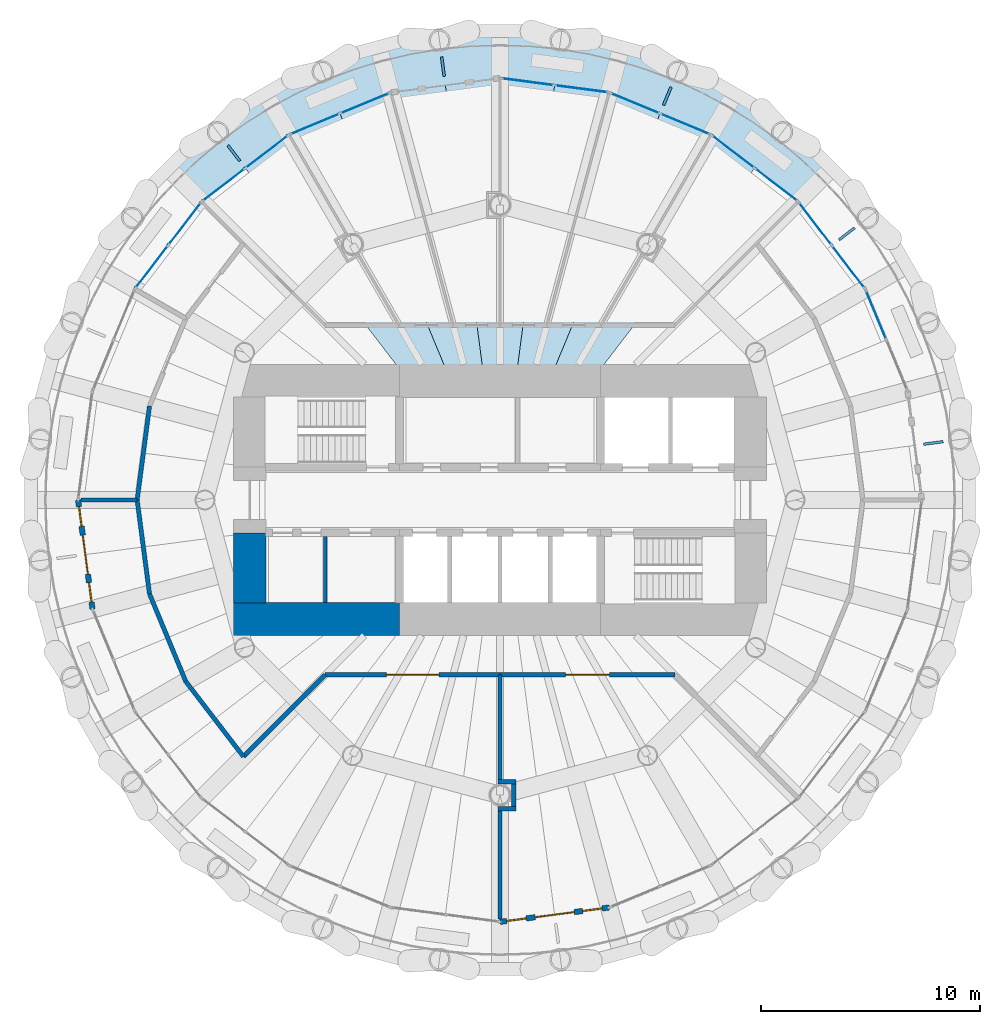
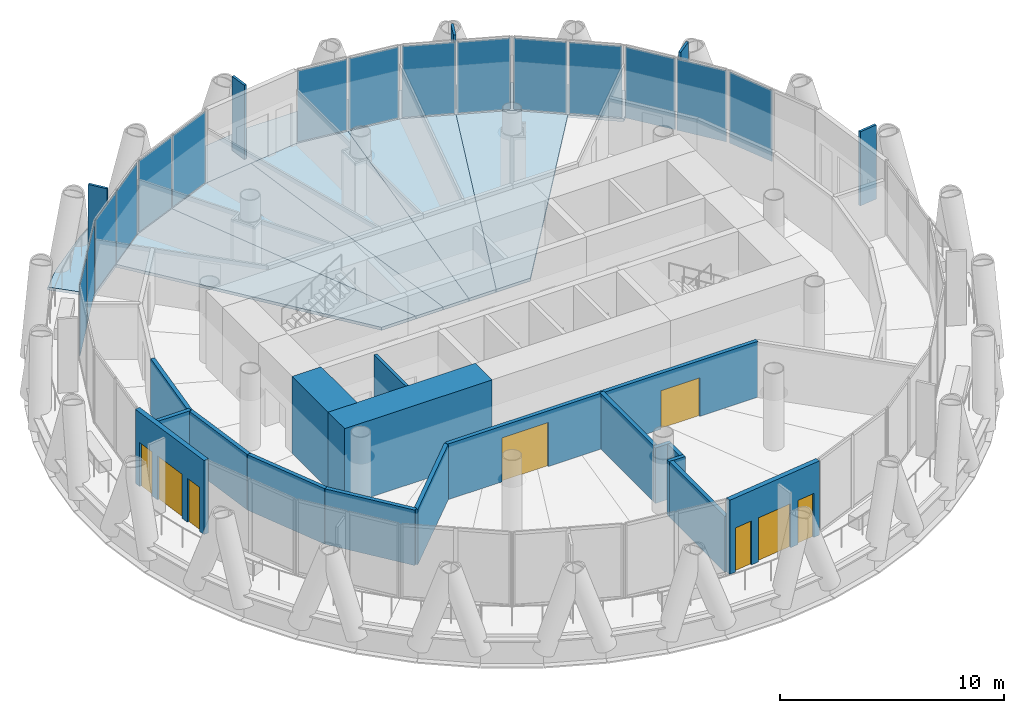
# One storey, part 9 of 15: 20 plates, 18 walls, 6 slabs, 4 doors, 4 windows, 8 openings, 8 elements without a shape of their own.
"""IFC4 building model written with IfcOpenShell, lengths in metres."""

from ifc_helpers import new_model, si_unit, direction, frame, frame_2d, origin, origin_2d, place, context, subcontext, project, spatial, polyline, rectangle, outline, extrude, material, layer, layer_set, type_object, element, fill, aggregate, save


model = new_model("IFC4")

# Units and contexts
model_context = context("Model", 3, precision=1e-05, world=origin(), true_north=direction((0.0, 1.0)))
body_context = subcontext(model_context, "Body", "Model", "MODEL_VIEW")
ifc_project = project(units=[si_unit("LENGTHUNIT", "METRE"), si_unit("AREAUNIT", "SQUARE_METRE"), si_unit("VOLUMEUNIT", "CUBIC_METRE"), si_unit("PLANEANGLEUNIT", "RADIAN"), si_unit("MASSUNIT", "GRAM", prefix="KILO")], contexts=[model_context])

# Site, building, storey
site_placement = place(None, origin())
site = spatial("IfcSite", under=ifc_project, at=site_placement, CompositionType="ELEMENT")
building_placement = place(site_placement, origin())
building = spatial("IfcBuilding", under=site, at=building_placement, Name="Qaws Media Tower", CompositionType="ELEMENT")
storey_placement = place(building_placement, frame((0.0, 0.0, 265.39990234375)))
storey = spatial("IfcBuildingStorey", under=building, at=storey_placement, Name="L61", CompositionType="ELEMENT", Elevation=265.39990234375)

# Slabs
ifc_material_1 = material(Name="Concrete C35/45", Category="concrete")
ifc_layer_1 = layer(ifc_material_1, 0.159912109375)
ifc_layer_set_1 = layer_set([ifc_layer_1], Name="Composite balcony slab 160")
slab_type_1 = type_object("IfcSlabType", Name="Composite balcony slab 160", PredefinedType="FLOOR", material=ifc_layer_set_1)
slab_1_placement = place(storey_placement, frame((0.0, 0.0, -0.159912109375)))
element("IfcSlab", 1, at=slab_1_placement, inside=storey, type_object=slab_type_1, Name="S2 balcony slab L61 R04 to R10, movement joints on R04 and R10", PredefinedType="FLOOR", context=body_context, shape_type="SweptSolid", body=[
    extrude(outline(polyline([(45.82421875, 66.16455078125), (48.05517578125, 67.876708984375), (50.49072265625, 69.28271484375), (53.089111328125, 70.35888671875), (55.8056640625, 71.0869140625), (58.59375, 71.4541015625), (61.40625, 71.4541015625), (64.1943359375, 71.0869140625), (66.910888671875, 70.35888671875), (69.50927734375, 69.28271484375), (71.94482421875, 67.876708984375), (74.17578125, 66.16455078125), (75.170166015625, 65.170166015625), (73.647216796875, 63.647216796875), (69.64990234375, 66.71435546875), (64.9951171875, 68.642333984375), (60.0, 69.300048828125), (55.0048828125, 68.642333984375), (50.35009765625, 66.71435546875), (46.352783203125, 63.647216796875), (44.829833984375, 65.170166015625), (45.82421875, 66.16455078125)])), origin(), (0.0, 0.0, 1.0), 0.159912109375),
])
ifc_material_2 = material(Name="Concrete C35/45", Category="concrete")
ifc_layer_2 = layer(ifc_material_2, 0.159912109375)
ifc_layer_set_2 = layer_set([ifc_layer_2], Name="Composite floor slab 160")
slab_type_2 = type_object("IfcSlabType", Name="Composite floor slab 160", PredefinedType="FLOOR", material=ifc_layer_set_2)
slab_2_placement = place(storey_placement, frame((0.0, 0.0, -0.159912109375)))
element("IfcSlab", 2, at=slab_2_placement, inside=storey, type_object=slab_type_2, Name="S1 floor panel L61 on R05", PredefinedType="FLOOR", context=body_context, shape_type="SweptSolid", body=[
    extrude(outline(polyline([(69.64990234375, 66.71435546875), (71.648681640625, 65.1806640625), (63.836669921875, 55.0), (62.071044921875, 55.0), (67.322509765625, 67.67822265625), (69.64990234375, 66.71435546875)])), origin(), (0.0, 0.0, 1.0), 0.159912109375),
])
slab_3_placement = place(storey_placement, frame((0.0, 0.0, -0.159912109375)))
element("IfcSlab", 3, at=slab_3_placement, inside=storey, type_object=slab_type_2, Name="S1 floor panel L61 on R06", PredefinedType="FLOOR", context=body_context, shape_type="SweptSolid", body=[
    extrude(outline(polyline([(64.9951171875, 68.642333984375), (67.322509765625, 67.67822265625), (62.071044921875, 55.0), (60.658203125, 55.0), (62.49755859375, 68.97119140625), (64.9951171875, 68.642333984375)])), origin(), (0.0, 0.0, 1.0), 0.159912109375),
])
slab_4_placement = place(storey_placement, frame((0.0, 0.0, -0.159912109375)))
element("IfcSlab", 4, at=slab_4_placement, inside=storey, type_object=slab_type_2, Name="S1 floor panel L61 on R07", PredefinedType="FLOOR", context=body_context, shape_type="SweptSolid", body=[
    extrude(outline(polyline([(60.0, 69.300048828125), (62.49755859375, 68.97119140625), (60.658203125, 55.0), (59.341796875, 55.0), (57.50244140625, 68.97119140625), (60.0, 69.300048828125)])), origin(), (0.0, 0.0, 1.0), 0.159912109375),
])
slab_5_placement = place(storey_placement, frame((0.0, 0.0, -0.159912109375)))
element("IfcSlab", 5, at=slab_5_placement, inside=storey, type_object=slab_type_2, Name="S1 floor panel L61 on R08", PredefinedType="FLOOR", context=body_context, shape_type="SweptSolid", body=[
    extrude(outline(polyline([(55.0048828125, 68.642333984375), (57.50244140625, 68.97119140625), (59.341796875, 55.0), (57.928955078125, 55.0), (52.677490234375, 67.67822265625), (55.0048828125, 68.642333984375)])), origin(), (0.0, 0.0, 1.0), 0.159912109375),
])
slab_6_placement = place(storey_placement, frame((0.0, 0.0, -0.159912109375)))
element("IfcSlab", 6, at=slab_6_placement, inside=storey, type_object=slab_type_2, Name="S1 floor panel L61 on R09", PredefinedType="FLOOR", context=body_context, shape_type="SweptSolid", body=[
    extrude(outline(polyline([(50.35009765625, 66.71435546875), (52.677490234375, 67.67822265625), (57.928955078125, 55.0), (56.163330078125, 55.0), (48.351318359375, 65.1806640625), (50.35009765625, 66.71435546875)])), origin(), (0.0, 0.0, 1.0), 0.159912109375),
])

# Curtain wall, plate
ifc_material_3 = material(Name="Aluminium and clear glass", Category="aluminium")
curtain_wall_type = type_object("IfcCurtainWallType", Name="Unitised curtain wall CW-D", PredefinedType="NOTDEFINED", material=ifc_material_3)
curtain_wall_1_placement = place(storey_placement, origin())
curtain_wall_1 = element("IfcCurtainWall", 7, at=curtain_wall_1_placement, inside=storey, type_object=curtain_wall_type, Name="CWD curtain wall L61-02", PredefinedType="NOTDEFINED")
ifc_material_4 = material(Name="Clear laminated double glazing", Category="glass")
ifc_layer_3 = layer(ifc_material_4, 0.031982421875)
ifc_layer_set_3 = layer_set([ifc_layer_3], Name="Curtain wall glass unit 32")
plate_type_1 = type_object("IfcPlateType", Name="Curtain wall glass unit 32", PredefinedType="CURTAIN_PANEL", material=ifc_layer_set_3)
plate_1_placement = place(storey_placement, frame((77.203857421875, 58.4677734375, 0.080078125), z_axis=(0.0, 0.0, 1.0), x_axis=(-0.382683436364, 0.923879530855, 0.0)))
plate_1 = element("IfcPlate", 8, at=plate_1_placement, type_object=plate_type_1, Name="CWD panel 2.1", PredefinedType="CURTAIN_PANEL", context=body_context, shape_type="SweptSolid", body=[
    extrude(rectangle(XDim=2.399169921875, YDim=0.031982421875, at=origin_2d()), origin(), (0.0, 0.0, 1.0), 3.8798828125),
])
aggregate(curtain_wall_1, [plate_1])

# Curtain wall, plates
curtain_wall_2_placement = place(storey_placement, origin())
curtain_wall_2 = element("IfcCurtainWall", 9, at=curtain_wall_2_placement, inside=storey, type_object=curtain_wall_type, Name="CWD curtain wall L61-03", PredefinedType="NOTDEFINED")
plate_2_placement = place(storey_placement, frame((75.935302734375, 60.6650390625, 0.080078125), z_axis=(0.0, 0.0, 1.0), x_axis=(-0.608761365217, 0.79335338924, 0.0)))
plate_2 = element("IfcPlate", 10, at=plate_2_placement, type_object=plate_type_1, Name="CWD panel 1.1", PredefinedType="CURTAIN_PANEL", context=body_context, shape_type="SweptSolid", body=[
    extrude(rectangle(XDim=2.399169921875, YDim=0.031982421875, at=origin_2d()), origin(), (0.0, 0.0, 1.0), 3.8798828125),
])
plate_3_placement = place(storey_placement, frame((74.426025390625, 62.632080078125, 0.080078125), z_axis=(0.0, 0.0, 1.0), x_axis=(-0.608761365217, 0.79335338924, 0.0)))
plate_3 = element("IfcPlate", 11, at=plate_3_placement, type_object=plate_type_1, Name="CWD panel 2.1", PredefinedType="CURTAIN_PANEL", context=body_context, shape_type="SweptSolid", body=[
    extrude(rectangle(XDim=2.399169921875, YDim=0.031982421875, at=origin_2d()), origin(), (0.0, 0.0, 1.0), 3.8798828125),
])
aggregate(curtain_wall_2, [plate_2, plate_3])

curtain_wall_3_placement = place(storey_placement, origin())
curtain_wall_3 = element("IfcCurtainWall", 12, at=curtain_wall_3_placement, inside=storey, type_object=curtain_wall_type, Name="CWD curtain wall L61-04", PredefinedType="NOTDEFINED")
plate_4_placement = place(storey_placement, frame((72.632080078125, 64.426025390625, 0.080078125), z_axis=(0.0, 0.0, 1.0), x_axis=(-0.79335338924, 0.608761365217, 0.0)))
plate_4 = element("IfcPlate", 13, at=plate_4_placement, type_object=plate_type_1, Name="CWD panel 1.1", PredefinedType="CURTAIN_PANEL", context=body_context, shape_type="SweptSolid", body=[
    extrude(rectangle(XDim=2.399169921875, YDim=0.031982421875, at=origin_2d()), origin(), (0.0, 0.0, 1.0), 3.8798828125),
])
plate_5_placement = place(storey_placement, frame((70.6650390625, 65.935302734375, 0.080078125), z_axis=(0.0, 0.0, 1.0), x_axis=(-0.79335338924, 0.608761365217, 0.0)))
plate_5 = element("IfcPlate", 14, at=plate_5_placement, type_object=plate_type_1, Name="CWD panel 2.1", PredefinedType="CURTAIN_PANEL", context=body_context, shape_type="SweptSolid", body=[
    extrude(rectangle(XDim=2.399169921875, YDim=0.031982421875, at=origin_2d()), origin(), (0.0, 0.0, 1.0), 3.8798828125),
])
aggregate(curtain_wall_3, [plate_4, plate_5])

curtain_wall_4_placement = place(storey_placement, origin())
curtain_wall_4 = element("IfcCurtainWall", 15, at=curtain_wall_4_placement, inside=storey, type_object=curtain_wall_type, Name="CWD curtain wall L61-05", PredefinedType="NOTDEFINED")
plate_6_placement = place(storey_placement, frame((68.4677734375, 67.203857421875, 0.080078125), z_axis=(0.0, 0.0, 1.0), x_axis=(-0.923879530855, 0.382683436364, 0.0)))
plate_6 = element("IfcPlate", 16, at=plate_6_placement, type_object=plate_type_1, Name="CWD panel 1.1", PredefinedType="CURTAIN_PANEL", context=body_context, shape_type="SweptSolid", body=[
    extrude(rectangle(XDim=2.399169921875, YDim=0.031982421875, at=origin_2d()), origin(), (0.0, 0.0, 1.0), 3.8798828125),
])
plate_7_placement = place(storey_placement, frame((66.177490234375, 68.152587890625, 0.080078125), z_axis=(0.0, 0.0, 1.0), x_axis=(-0.923879530855, 0.382683436364, 0.0)))
plate_7 = element("IfcPlate", 17, at=plate_7_placement, type_object=plate_type_1, Name="CWD panel 2.1", PredefinedType="CURTAIN_PANEL", context=body_context, shape_type="SweptSolid", body=[
    extrude(rectangle(XDim=2.399169921875, YDim=0.031982421875, at=origin_2d()), origin(), (0.0, 0.0, 1.0), 3.8798828125),
])
aggregate(curtain_wall_4, [plate_6, plate_7])

curtain_wall_5_placement = place(storey_placement, origin())
curtain_wall_5 = element("IfcCurtainWall", 18, at=curtain_wall_5_placement, inside=storey, type_object=curtain_wall_type, Name="CWD curtain wall L61-06", PredefinedType="NOTDEFINED")
plate_8_placement = place(storey_placement, frame((63.7265625, 68.809326171875, 0.080078125), z_axis=(0.0, 0.0, 1.0), x_axis=(-0.991444851334, 0.130526268479, 0.0)))
plate_8 = element("IfcPlate", 19, at=plate_8_placement, type_object=plate_type_1, Name="CWD panel 1.1", PredefinedType="CURTAIN_PANEL", context=body_context, shape_type="SweptSolid", body=[
    extrude(rectangle(XDim=2.399169921875, YDim=0.031982421875, at=origin_2d()), origin(), (0.0, 0.0, 1.0), 3.8798828125),
])
plate_9_placement = place(storey_placement, frame((61.2685546875, 69.133056640625, 0.080078125), z_axis=(0.0, 0.0, 1.0), x_axis=(-0.991444851334, 0.130526268479, 0.0)))
plate_9 = element("IfcPlate", 20, at=plate_9_placement, type_object=plate_type_1, Name="CWD panel 2.1", PredefinedType="CURTAIN_PANEL", context=body_context, shape_type="SweptSolid", body=[
    extrude(rectangle(XDim=2.399169921875, YDim=0.031982421875, at=origin_2d()), origin(), (0.0, 0.0, 1.0), 3.8798828125),
])
aggregate(curtain_wall_5, [plate_8, plate_9])

curtain_wall_6_placement = place(storey_placement, origin())
curtain_wall_6 = element("IfcCurtainWall", 21, at=curtain_wall_6_placement, inside=storey, type_object=curtain_wall_type, Name="CWD curtain wall L61-08", PredefinedType="NOTDEFINED")
plate_10_placement = place(storey_placement, frame((53.822509765625, 68.152587890625, 0.080078125), z_axis=(0.0, 0.0, 1.0), x_axis=(-0.923879530855, -0.382683436364, 0.0)))
plate_10 = element("IfcPlate", 22, at=plate_10_placement, type_object=plate_type_1, Name="CWD panel 1.1", PredefinedType="CURTAIN_PANEL", context=body_context, shape_type="SweptSolid", body=[
    extrude(rectangle(XDim=2.399169921875, YDim=0.031982421875, at=origin_2d()), origin(), (0.0, 0.0, 1.0), 3.8798828125),
])
plate_11_placement = place(storey_placement, frame((51.5322265625, 67.203857421875, 0.080078125), z_axis=(0.0, 0.0, 1.0), x_axis=(-0.923879530855, -0.382683436364, 0.0)))
plate_11 = element("IfcPlate", 23, at=plate_11_placement, type_object=plate_type_1, Name="CWD panel 2.1", PredefinedType="CURTAIN_PANEL", context=body_context, shape_type="SweptSolid", body=[
    extrude(rectangle(XDim=2.399169921875, YDim=0.031982421875, at=origin_2d()), origin(), (0.0, 0.0, 1.0), 3.8798828125),
])
aggregate(curtain_wall_6, [plate_10, plate_11])

curtain_wall_7_placement = place(storey_placement, origin())
curtain_wall_7 = element("IfcCurtainWall", 24, at=curtain_wall_7_placement, inside=storey, type_object=curtain_wall_type, Name="CWD curtain wall L61-09", PredefinedType="NOTDEFINED")
plate_12_placement = place(storey_placement, frame((49.3349609375, 65.935302734375, 0.080078125), z_axis=(0.0, 0.0, 1.0), x_axis=(-0.79335338924, -0.608761365217, 0.0)))
plate_12 = element("IfcPlate", 25, at=plate_12_placement, type_object=plate_type_1, Name="CWD panel 1.1", PredefinedType="CURTAIN_PANEL", context=body_context, shape_type="SweptSolid", body=[
    extrude(rectangle(XDim=2.399169921875, YDim=0.031982421875, at=origin_2d()), origin(), (0.0, 0.0, 1.0), 3.8798828125),
])
plate_13_placement = place(storey_placement, frame((47.367919921875, 64.426025390625, 0.080078125), z_axis=(0.0, 0.0, 1.0), x_axis=(-0.79335338924, -0.608761365217, 0.0)))
plate_13 = element("IfcPlate", 26, at=plate_13_placement, type_object=plate_type_1, Name="CWD panel 2.1", PredefinedType="CURTAIN_PANEL", context=body_context, shape_type="SweptSolid", body=[
    extrude(rectangle(XDim=2.399169921875, YDim=0.031982421875, at=origin_2d()), origin(), (0.0, 0.0, 1.0), 3.8798828125),
])
aggregate(curtain_wall_7, [plate_12, plate_13])

curtain_wall_8_placement = place(storey_placement, origin())
curtain_wall_8 = element("IfcCurtainWall", 27, at=curtain_wall_8_placement, inside=storey, type_object=curtain_wall_type, Name="CWD curtain wall L61-10", PredefinedType="NOTDEFINED")
plate_14_placement = place(storey_placement, frame((45.573974609375, 62.632080078125, 0.080078125), z_axis=(0.0, 0.0, 1.0), x_axis=(-0.608761365217, -0.79335338924, 0.0)))
plate_14 = element("IfcPlate", 28, at=plate_14_placement, type_object=plate_type_1, Name="CWD panel 1.1", PredefinedType="CURTAIN_PANEL", context=body_context, shape_type="SweptSolid", body=[
    extrude(rectangle(XDim=2.399169921875, YDim=0.031982421875, at=origin_2d()), origin(), (0.0, 0.0, 1.0), 3.8798828125),
])
plate_15_placement = place(storey_placement, frame((44.064697265625, 60.6650390625, 0.080078125), z_axis=(0.0, 0.0, 1.0), x_axis=(-0.608761365217, -0.79335338924, 0.0)))
plate_15 = element("IfcPlate", 29, at=plate_15_placement, type_object=plate_type_1, Name="CWD panel 2.1", PredefinedType="CURTAIN_PANEL", context=body_context, shape_type="SweptSolid", body=[
    extrude(rectangle(XDim=2.399169921875, YDim=0.031982421875, at=origin_2d()), origin(), (0.0, 0.0, 1.0), 3.8798828125),
])
aggregate(curtain_wall_8, [plate_14, plate_15])

# Plates
ifc_material_5 = material(Name="Precast concrete screen fin", Category="concrete")
ifc_layer_4 = layer(ifc_material_5, 0.1201171875)
ifc_layer_set_4 = layer_set([ifc_layer_4], Name="Screen fin 120x900")
plate_type_2 = type_object("IfcPlateType", Name="Screen fin 120x900", PredefinedType="USERDEFINED", material=ifc_layer_set_4)
for number, where, z_axis, x_axis, name in (
    (30, (79.828857421875, 52.610595703125, 0.0), (0.0, 0.0, 1.0), (0.991444861374, 0.13052619222, 0.0), "SCR1 screen fin L61-01"),
    (31, (75.8671875, 62.17529296875, 0.0), (0.0, 0.0, 1.0), (0.793353340291, 0.608761429009, 0.0), "SCR1 screen fin L61-02"),
    (32, (67.653564453125, 68.4775390625, 0.0), (0.0, 0.0, 1.0), (0.382683432365, 0.923879532511, 0.0), "SCR1 screen fin L61-03"),
    (33, (57.389404296875, 69.828857421875, 0.0), (0.0, 0.0, 1.0), (-0.13052619222, 0.991444861374, 0.0), "SCR1 screen fin L61-04"),
    (34, (47.82470703125, 65.8671875, 0.0), (0.0, 0.0, 1.0), (-0.608761429009, 0.793353340291, 0.0), "SCR1 screen fin L61-05"),
):
    element("IfcPlate", number, at=place(storey_placement, frame(where, z_axis=z_axis, x_axis=x_axis)), inside=storey, type_object=plate_type_2, Name=name, ObjectType="SCREEN", PredefinedType="USERDEFINED", context=body_context, shape_type="SweptSolid", body=[
        extrude(rectangle(XDim=0.89990234375, YDim=0.1201171875, at=origin_2d()), origin(), (0.0, 0.0, 1.0), 4.0400390625),
    ])

# Wall, openings, door, windows
ifc_material_6 = material(Name="Precast concrete, exposed finish", Category="concrete")
ifc_layer_5 = layer(ifc_material_6, 0.25)
ifc_layer_set_5 = layer_set([ifc_layer_5], Name="Balcony door wall 250")
wall_type_1 = type_object("IfcWallType", Name="Balcony door wall 250", PredefinedType="SOLIDWALL", material=ifc_layer_set_5)
wall_1_placement = place(storey_placement, frame((40.699951171875, 50.0, 0.0), z_axis=(0.0, 0.0, 1.0), x_axis=(0.130544763891, -0.99144241619, 0.0)))
wall_1 = element("IfcWall", 35, at=wall_1_placement, inside=storey, type_object=wall_type_1, Name="W280 EW1 balcony door wall L61-13", PredefinedType="SOLIDWALL", context=body_context, shape_type="SweptSolid", body=[
    extrude(rectangle(XDim=5.038330078125, YDim=0.25, at=frame_2d((2.51904296875, 0.0))), origin(), (0.0, 0.0, 1.0), 4.0400390625),
])
opening_1_placement = place(wall_1_placement, frame((1.619140625, 0.0, 0.0)))
opening_1 = element("IfcOpeningElement", 36, at=opening_1_placement, cuts=wall_1, Name="Opening D7", PredefinedType="OPENING", context=body_context, shape_type="SweptSolid", body=[
    extrude(rectangle(XDim=1.800048828125, YDim=2.39990234375, at=frame_2d((0.89990234375, 1.199951171875))), frame((0.0, 0.135009765625, 0.0), z_axis=(0.0, -1.0, 0.0), x_axis=(1.0, 0.0, 0.0)), (0.0, 0.0, 1.0), 0.27001953125),
])
opening_2_placement = place(wall_1_placement, frame((0.319091796875, 0.0, 0.0)))
opening_2 = element("IfcOpeningElement", 37, at=opening_2_placement, cuts=wall_1, Name="Opening W7", PredefinedType="OPENING", context=body_context, shape_type="SweptSolid", body=[
    extrude(rectangle(XDim=0.89990234375, YDim=2.39990234375, at=frame_2d((0.449951171875, 1.199951171875))), frame((0.0, 0.135009765625, 0.0), z_axis=(0.0, -1.0, 0.0), x_axis=(1.0, 0.0, 0.0)), (0.0, 0.0, 1.0), 0.27001953125),
])
opening_3_placement = place(wall_1_placement, frame((3.819091796875, 0.0, 0.0)))
opening_3 = element("IfcOpeningElement", 38, at=opening_3_placement, cuts=wall_1, Name="Opening W7", PredefinedType="OPENING", context=body_context, shape_type="SweptSolid", body=[
    extrude(rectangle(XDim=0.89990234375, YDim=2.39990234375, at=frame_2d((0.449951171875, 1.199951171875))), frame((0.0, 0.135009765625, 0.0), z_axis=(0.0, -1.0, 0.0), x_axis=(1.0, 0.0, 0.0)), (0.0, 0.0, 1.0), 0.27001953125),
])
ifc_material_7 = material(Name="Aluminium and clear glass", Category="aluminium")
door_type_1 = type_object("IfcDoorType", Name="Balcony door pair 1800", OperationType="DOUBLE_DOOR_SLIDING", PredefinedType="DOOR", material=ifc_material_7)
door_1_placement = place(opening_1_placement, origin())
door_1 = element("IfcDoor", 39, at=door_1_placement, inside=storey, type_object=door_type_1, Name="D7 balcony door L61-13 in wall W280", OperationType="DOUBLE_DOOR_SLIDING", OverallHeight=2.39990234375, OverallWidth=1.800048828125, PredefinedType="DOOR", context=body_context, shape_type="SweptSolid", body=[
    extrude(rectangle(XDim=1.800048828125, YDim=2.39990234375, at=frame_2d((0.89990234375, 1.199951171875))), frame((0.0, 0.02490234375, 0.0), z_axis=(0.0, -1.0, 0.0), x_axis=(1.0, 0.0, 0.0)), (0.0, 0.0, 1.0), 0.050048828125),
])
fill(opening_1, door_1)
ifc_material_8 = material(Name="Aluminium and clear glass", Category="aluminium")
window_type = type_object("IfcWindowType", Name="Balcony side window 900", PartitioningType="SINGLE_PANEL", PredefinedType="WINDOW", material=ifc_material_8)
window_1_placement = place(opening_2_placement, origin())
window_1 = element("IfcWindow", 40, at=window_1_placement, inside=storey, type_object=window_type, Name="W1 balcony side light L61-13L", OverallHeight=2.39990234375, OverallWidth=0.89990234375, PartitioningType="SINGLE_PANEL", PredefinedType="WINDOW", context=body_context, shape_type="SweptSolid", body=[
    extrude(rectangle(XDim=0.89990234375, YDim=2.39990234375, at=frame_2d((0.449951171875, 1.199951171875))), frame((0.0, 0.030029296875, 0.0), z_axis=(0.0, -1.0, 0.0), x_axis=(1.0, 0.0, 0.0)), (0.0, 0.0, 1.0), 0.06005859375),
])
fill(opening_2, window_1)
window_2_placement = place(opening_3_placement, origin())
window_2 = element("IfcWindow", 41, at=window_2_placement, inside=storey, type_object=window_type, Name="W1 balcony side light L61-13R", OverallHeight=2.39990234375, OverallWidth=0.89990234375, PartitioningType="SINGLE_PANEL", PredefinedType="WINDOW", context=body_context, shape_type="SweptSolid", body=[
    extrude(rectangle(XDim=0.89990234375, YDim=2.39990234375, at=frame_2d((0.449951171875, 1.199951171875))), frame((0.0, 0.030029296875, 0.0), z_axis=(0.0, -1.0, 0.0), x_axis=(1.0, 0.0, 0.0)), (0.0, 0.0, 1.0), 0.06005859375),
])
fill(opening_3, window_2)

wall_2_placement = place(storey_placement, frame((60.0, 30.699951171875, 0.0), z_axis=(0.0, 0.0, 1.0), x_axis=(0.99144241619, 0.130544763891, 0.0)))
wall_2 = element("IfcWall", 42, at=wall_2_placement, inside=storey, type_object=wall_type_1, Name="W281 EW1 balcony door wall L61-19", PredefinedType="SOLIDWALL", context=body_context, shape_type="SweptSolid", body=[
    extrude(rectangle(XDim=5.038330078125, YDim=0.25, at=frame_2d((2.51904296875, 0.0))), origin(), (0.0, 0.0, 1.0), 4.0400390625),
])
opening_4_placement = place(wall_2_placement, frame((1.619140625, 0.0, 0.0)))
opening_4 = element("IfcOpeningElement", 43, at=opening_4_placement, cuts=wall_2, Name="Opening D7", PredefinedType="OPENING", context=body_context, shape_type="SweptSolid", body=[
    extrude(rectangle(XDim=1.800048828125, YDim=2.39990234375, at=frame_2d((0.89990234375, 1.199951171875))), frame((0.0, 0.135009765625, 0.0), z_axis=(0.0, -1.0, 0.0), x_axis=(1.0, 0.0, 0.0)), (0.0, 0.0, 1.0), 0.27001953125),
])
opening_5_placement = place(wall_2_placement, frame((0.319091796875, 0.0, 0.0)))
opening_5 = element("IfcOpeningElement", 44, at=opening_5_placement, cuts=wall_2, Name="Opening W7", PredefinedType="OPENING", context=body_context, shape_type="SweptSolid", body=[
    extrude(rectangle(XDim=0.89990234375, YDim=2.39990234375, at=frame_2d((0.449951171875, 1.199951171875))), frame((0.0, 0.135009765625, 0.0), z_axis=(0.0, -1.0, 0.0), x_axis=(1.0, 0.0, 0.0)), (0.0, 0.0, 1.0), 0.27001953125),
])
opening_6_placement = place(wall_2_placement, frame((3.819091796875, 0.0, 0.0)))
opening_6 = element("IfcOpeningElement", 45, at=opening_6_placement, cuts=wall_2, Name="Opening W7", PredefinedType="OPENING", context=body_context, shape_type="SweptSolid", body=[
    extrude(rectangle(XDim=0.89990234375, YDim=2.39990234375, at=frame_2d((0.449951171875, 1.199951171875))), frame((0.0, 0.135009765625, 0.0), z_axis=(0.0, -1.0, 0.0), x_axis=(1.0, 0.0, 0.0)), (0.0, 0.0, 1.0), 0.27001953125),
])
door_2_placement = place(opening_4_placement, origin())
door_2 = element("IfcDoor", 46, at=door_2_placement, inside=storey, type_object=door_type_1, Name="D7 balcony door L61-19 in wall W281", OperationType="DOUBLE_DOOR_SLIDING", OverallHeight=2.39990234375, OverallWidth=1.800048828125, PredefinedType="DOOR", context=body_context, shape_type="SweptSolid", body=[
    extrude(rectangle(XDim=1.800048828125, YDim=2.39990234375, at=frame_2d((0.89990234375, 1.199951171875))), frame((0.0, 0.02490234375, 0.0), z_axis=(0.0, -1.0, 0.0), x_axis=(1.0, 0.0, 0.0)), (0.0, 0.0, 1.0), 0.050048828125),
])
fill(opening_4, door_2)
window_3_placement = place(opening_5_placement, origin())
window_3 = element("IfcWindow", 47, at=window_3_placement, inside=storey, type_object=window_type, Name="W1 balcony side light L61-19L", OverallHeight=2.39990234375, OverallWidth=0.89990234375, PartitioningType="SINGLE_PANEL", PredefinedType="WINDOW", context=body_context, shape_type="SweptSolid", body=[
    extrude(rectangle(XDim=0.89990234375, YDim=2.39990234375, at=frame_2d((0.449951171875, 1.199951171875))), frame((0.0, 0.030029296875, 0.0), z_axis=(0.0, -1.0, 0.0), x_axis=(1.0, 0.0, 0.0)), (0.0, 0.0, 1.0), 0.06005859375),
])
fill(opening_5, window_3)
window_4_placement = place(opening_6_placement, origin())
window_4 = element("IfcWindow", 48, at=window_4_placement, inside=storey, type_object=window_type, Name="W1 balcony side light L61-19R", OverallHeight=2.39990234375, OverallWidth=0.89990234375, PartitioningType="SINGLE_PANEL", PredefinedType="WINDOW", context=body_context, shape_type="SweptSolid", body=[
    extrude(rectangle(XDim=0.89990234375, YDim=2.39990234375, at=frame_2d((0.449951171875, 1.199951171875))), frame((0.0, 0.030029296875, 0.0), z_axis=(0.0, -1.0, 0.0), x_axis=(1.0, 0.0, 0.0)), (0.0, 0.0, 1.0), 0.06005859375),
])
fill(opening_6, window_4)

# Walls
ifc_material_9 = material(Name="Concrete C60/75", Category="concrete")
ifc_layer_6 = layer(ifc_material_9, 1.5)
ifc_layer_set_6 = layer_set([ifc_layer_6], Name="Core wall 1500")
wall_type_2 = type_object("IfcWallType", Name="Core wall 1500", PredefinedType="SHEAR", material=ifc_layer_set_6)
wall_3_placement = place(storey_placement, frame((47.800048828125, 44.550048828125, 0.0), z_axis=(0.0, 0.0, 1.0), x_axis=(1.0, 0.0, 0.0)))
element("IfcWall", 49, at=wall_3_placement, inside=storey, type_object=wall_type_2, Name="W376 SW13 core wall SW L61", PredefinedType="SHEAR", context=body_context, shape_type="SweptSolid", body=[
    extrude(rectangle(XDim=7.599853515625, YDim=1.5, at=frame_2d((3.7998046875, 0.0))), origin(), (0.0, 0.0, 1.0), 4.2001953125),
])
wall_4_placement = place(storey_placement, frame((48.550048828125, 45.280029296875, 0.0), z_axis=(0.0, 0.0, 1.0), x_axis=(0.0, 1.0, 0.0)))
element("IfcWall", 50, at=wall_4_placement, inside=storey, type_object=wall_type_2, Name="W378 SW13 core wall WS L61", PredefinedType="SHEAR", context=body_context, shape_type="SweptSolid", body=[
    extrude(rectangle(XDim=3.219970703125, YDim=1.5, at=frame_2d((1.60986328125, 0.0))), origin(), (0.0, 0.0, 1.0), 4.2001953125),
])
ifc_material_10 = material(Name="Gypsum board on galvanised metal studs, acoustic double stud, deflection head", Category="gypsum")
ifc_layer_7 = layer(ifc_material_10, 0.199951171875)
ifc_layer_set_7 = layer_set([ifc_layer_7], Name="Room partition 200")
wall_type_3 = type_object("IfcWallType", Name="Room partition 200", PredefinedType="PARTITIONING", material=ifc_layer_set_7)
wall_5_placement = place(storey_placement, frame((52.0, 42.0, 0.0), z_axis=(0.0, 0.0, 1.0), x_axis=(-0.707106781187, -0.707106781187, 0.0)))
element("IfcWall", 51, at=wall_5_placement, inside=storey, type_object=wall_type_3, Name="W1744 IW3 partition L61", PredefinedType="PARTITIONING", context=body_context, shape_type="SweptSolid", body=[
    extrude(rectangle(XDim=5.286376953125, YDim=0.199951171875, at=frame_2d((2.64306640625, 0.0))), origin(), (0.0, 0.0, 1.0), 3.02001953125),
])
for number, where, z_axis, x_axis, name in (
    (52, (48.261962890625, 38.261962890625, 0.0), (0.0, 0.0, 1.0), (-0.60874374674, 0.79336690806, 0.0), "W1743 IW3 partition L61"),
    (53, (45.6240234375, 41.699951171875, 0.0), (0.0, 0.0, 1.0), (-0.382698425325, 0.923873322082, 0.0), "W1740 IW3 partition L61"),
    (54, (43.965576171875, 45.70361328125, 0.0), (0.0, 0.0, 1.0), (-0.130536124221, 0.99144355375, 0.0), "W1738 IW3 partition L61"),
    (55, (43.39990234375, 50.0, 0.0), (0.0, 0.0, 1.0), (0.130536124221, 0.99144355375, 0.0), "W1737 IW3 partition L61"),
):
    element("IfcWall", number, at=place(storey_placement, frame(where, z_axis=z_axis, x_axis=x_axis)), inside=storey, type_object=wall_type_3, Name=name, PredefinedType="PARTITIONING", context=body_context, shape_type="SweptSolid", body=[
        extrude(rectangle(XDim=4.33349609375, YDim=0.199951171875, at=frame_2d((2.166748046875, 0.0))), origin(), (0.0, 0.0, 1.0), 3.02001953125),
    ])

# Wall, opening, door
wall_6_placement = place(storey_placement, frame((68.0, 42.0, 0.0), z_axis=(0.0, 0.0, 1.0), x_axis=(-1.0, 0.0, 0.0)))
wall_6 = element("IfcWall", 56, at=wall_6_placement, inside=storey, type_object=wall_type_3, Name="W1727 IW3 partition L61", PredefinedType="PARTITIONING", context=body_context, shape_type="SweptSolid", body=[
    extrude(rectangle(XDim=8.0, YDim=0.199951171875, at=frame_2d((4.0, 0.0))), origin(), (0.0, 0.0, 1.0), 3.0400390625),
])
opening_7_placement = place(wall_6_placement, frame((3.0, 0.0, 0.0)))
opening_7 = element("IfcOpeningElement", 57, at=opening_7_placement, cuts=wall_6, Name="Opening D6", PredefinedType="OPENING", context=body_context, shape_type="SweptSolid", body=[
    extrude(rectangle(XDim=2.0, YDim=2.10009765625, at=frame_2d((1.0, 1.050048828125))), frame((0.0, 0.10986328125, 0.0), z_axis=(0.0, -1.0, 0.0), x_axis=(1.0, 0.0, 0.0)), (0.0, 0.0, 1.0), 0.219970703125),
])
ifc_material_11 = material(Name="Steel, acoustic, fire rated", Category="steel")
door_type_2 = type_object("IfcDoorType", Name="Room door pair 2000", OperationType="DOUBLE_DOOR_DOUBLE_SWING", PredefinedType="DOOR", material=ifc_material_11)
door_3_placement = place(opening_7_placement, origin())
door_3 = element("IfcDoor", 58, at=door_3_placement, inside=storey, type_object=door_type_2, Name="D6 Executive library door L61 in wall W1727", OperationType="DOUBLE_DOOR_DOUBLE_SWING", OverallHeight=2.10009765625, OverallWidth=2.0, PredefinedType="DOOR", context=body_context, shape_type="SweptSolid", body=[
    extrude(rectangle(XDim=2.0, YDim=2.10009765625, at=frame_2d((1.0, 1.050048828125))), frame((0.0, 0.02490234375, 0.0), z_axis=(0.0, -1.0, 0.0), x_axis=(1.0, 0.0, 0.0)), (0.0, 0.0, 1.0), 0.050048828125),
])
fill(opening_7, door_3)

wall_7_placement = place(storey_placement, frame((60.0, 42.0, 0.0), z_axis=(0.0, 0.0, 1.0), x_axis=(-1.0, 0.0, 0.0)))
wall_7 = element("IfcWall", 59, at=wall_7_placement, inside=storey, type_object=wall_type_3, Name="W1721 IW3 partition L61", PredefinedType="PARTITIONING", context=body_context, shape_type="SweptSolid", body=[
    extrude(rectangle(XDim=8.0, YDim=0.199951171875, at=frame_2d((4.0, 0.0))), origin(), (0.0, 0.0, 1.0), 3.0400390625),
])
opening_8_placement = place(wall_7_placement, frame((2.800048828125, 0.0, 0.0)))
opening_8 = element("IfcOpeningElement", 60, at=opening_8_placement, cuts=wall_7, Name="Opening D17", PredefinedType="OPENING", context=body_context, shape_type="SweptSolid", body=[
    extrude(rectangle(XDim=2.39990234375, YDim=2.39990234375, at=frame_2d((1.199951171875, 1.199951171875))), frame((0.0, 0.10986328125, 0.0), z_axis=(0.0, -1.0, 0.0), x_axis=(1.0, 0.0, 0.0)), (0.0, 0.0, 1.0), 0.219970703125),
])
ifc_material_12 = material(Name="Timber veneered, panic hardware", Category="wood")
door_type_3 = type_object("IfcDoorType", Name="Assembly room door pair 2400x2400", OperationType="DOUBLE_DOOR_DOUBLE_SWING", PredefinedType="DOOR", material=ifc_material_12)
door_4_placement = place(opening_8_placement, origin())
door_4 = element("IfcDoor", 61, at=door_4_placement, inside=storey, type_object=door_type_3, Name="D17 Executive lounge door L61 in wall W1721", OperationType="DOUBLE_DOOR_DOUBLE_SWING", OverallHeight=2.39990234375, OverallWidth=2.39990234375, PredefinedType="DOOR", context=body_context, shape_type="SweptSolid", body=[
    extrude(rectangle(XDim=2.39990234375, YDim=2.39990234375, at=frame_2d((1.199951171875, 1.199951171875))), frame((0.0, 0.02490234375, 0.0), z_axis=(0.0, -1.0, 0.0), x_axis=(1.0, 0.0, 0.0)), (0.0, 0.0, 1.0), 0.050048828125),
])
fill(opening_8, door_4)

# Walls
wall_8_placement = place(storey_placement, frame((43.39990234375, 50.0, 0.0), z_axis=(0.0, 0.0, 1.0), x_axis=(-1.0, 0.0, 0.0)))
element("IfcWall", 62, at=wall_8_placement, inside=storey, type_object=wall_type_3, Name="W1736 IW3 partition L61", PredefinedType="PARTITIONING", context=body_context, shape_type="SweptSolid", body=[
    extrude(rectangle(XDim=2.559814453125, YDim=0.199951171875, at=frame_2d((1.27978515625, 0.0))), origin(), (0.0, 0.0, 1.0), 3.0400390625),
])
for number, where, z_axis, x_axis, name in (
    (63, (59.89990234375, 37.116943359375, 0.0), (0.0, 0.0, 1.0), (1.0, 0.0, 0.0), "W1572 IW3 partition return L61"),
    (64, (59.89990234375, 35.883056640625, 0.0), (0.0, 0.0, 1.0), (1.0, 0.0, 0.0), "W1571 IW3 partition return L61"),
):
    element("IfcWall", number, at=place(storey_placement, frame(where, z_axis=z_axis, x_axis=x_axis)), inside=storey, type_object=wall_type_3, Name=name, PredefinedType="PARTITIONING", context=body_context, shape_type="SweptSolid", body=[
        extrude(rectangle(XDim=0.8271484375, YDim=0.199951171875, at=frame_2d((0.41357421875, 0.0))), origin(), (0.0, 0.0, 1.0), 3.02001953125),
    ])
wall_9_placement = place(storey_placement, frame((60.626953125, 37.01708984375, 0.0), z_axis=(0.0, 0.0, 1.0), x_axis=(0.0, -1.0, 0.0)))
element("IfcWall", 65, at=wall_9_placement, inside=storey, type_object=wall_type_3, Name="W1575 IW3 partition return L61", PredefinedType="PARTITIONING", context=body_context, shape_type="SweptSolid", body=[
    extrude(rectangle(XDim=1.0341796875, YDim=0.199951171875, at=frame_2d((0.51708984375, 0.0))), origin(), (0.0, 0.0, 1.0), 3.02001953125),
])
wall_10_placement = place(storey_placement, frame((60.0, 42.0, 0.0), z_axis=(0.0, 0.0, 1.0), x_axis=(0.0, -1.0, 0.0)))
element("IfcWall", 66, at=wall_10_placement, inside=storey, type_object=wall_type_3, Name="W1722 IW3 partition L61", PredefinedType="PARTITIONING", context=body_context, shape_type="SweptSolid", body=[
    extrude(rectangle(XDim=4.782958984375, YDim=0.199951171875, at=frame_2d((2.3916015625, 0.0))), origin(), (0.0, 0.0, 1.0), 3.0400390625),
])
wall_11_placement = place(storey_placement, frame((60.0, 35.782958984375, 0.0), z_axis=(0.0, 0.0, 1.0), x_axis=(0.0, -1.0, 0.0)))
element("IfcWall", 67, at=wall_11_placement, inside=storey, type_object=wall_type_3, Name="W1745 IW3 partition L61", PredefinedType="PARTITIONING", context=body_context, shape_type="SweptSolid", body=[
    extrude(rectangle(XDim=4.94287109375, YDim=0.199951171875, at=frame_2d((2.471435546875, 0.0))), origin(), (0.0, 0.0, 1.0), 3.0400390625),
])
ifc_material_13 = material(Name="Gypsum board on galvanised metal studs, deflection head", Category="gypsum")
ifc_layer_8 = layer(ifc_material_13, 0.14990234375)
ifc_layer_set_8 = layer_set([ifc_layer_8], Name="WC partition 150")
wall_type_4 = type_object("IfcWallType", Name="WC partition 150", PredefinedType="PARTITIONING", material=ifc_layer_set_8)
wall_12_placement = place(storey_placement, frame((52.0, 45.300048828125, 0.0), z_axis=(0.0, 0.0, 1.0), x_axis=(0.0, 1.0, 0.0)))
element("IfcWall", 68, at=wall_12_placement, inside=storey, type_object=wall_type_4, Name="W1925 IW2 toilet partition 1 L61", PredefinedType="PARTITIONING", context=body_context, shape_type="SweptSolid", body=[
    extrude(rectangle(XDim=3.02490234375, YDim=0.14990234375, at=frame_2d((1.512451171875, 0.0))), origin(), (0.0, 0.0, 1.0), 4.0400390625),
])

save(model, "model.ifc")
